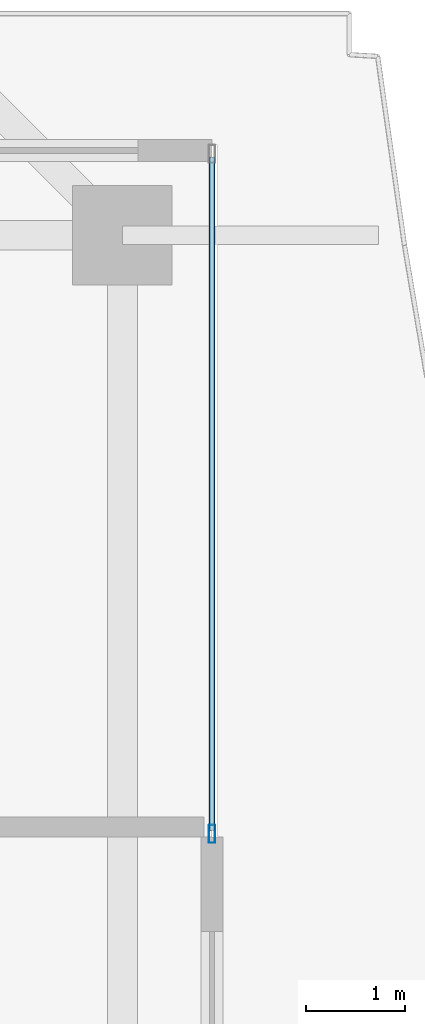
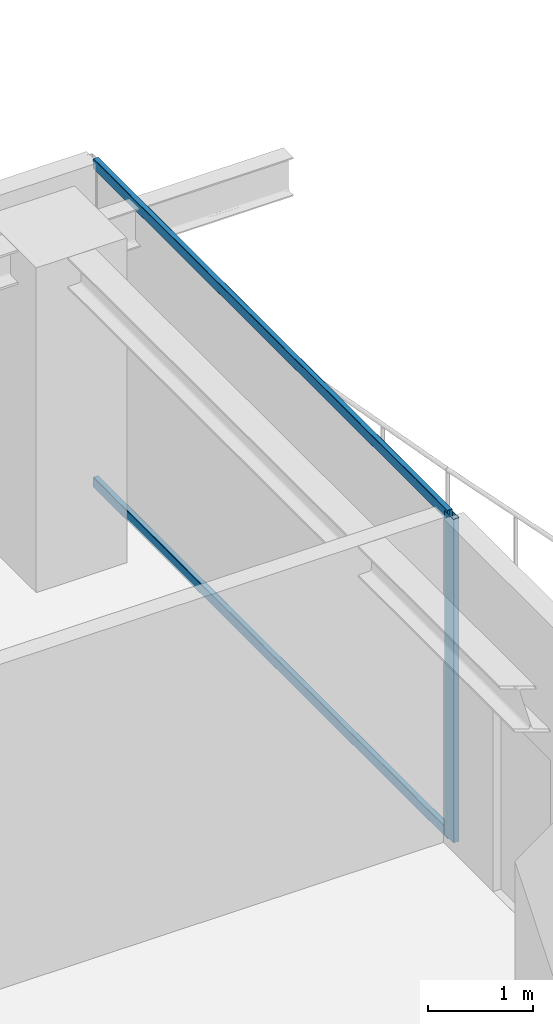
# One storey, part 26 of 42: 3 members, 1 element without a shape of its own.
"""IFC4 building model written with IfcOpenShell, lengths in metres."""

from ifc_helpers import new_model, si_unit, direction, frame, origin, origin_2d, place, context, subcontext, project, spatial, hollow_rectangle, extrude, source, transform, mapped, material, layer, layer_set, material_profile, profile_set, type_object, element, aggregate, save


model = new_model("IFC4")

# Units and contexts
model_context = context("Model", 3, precision=1e-05, world=origin(), true_north=direction((0.0, 1.0)))
body_context = subcontext(model_context, "Body", "Model", "MODEL_VIEW")
ifc_project = project(units=[si_unit("LENGTHUNIT", "METRE"), si_unit("AREAUNIT", "SQUARE_METRE"), si_unit("VOLUMEUNIT", "CUBIC_METRE"), si_unit("PLANEANGLEUNIT", "RADIAN"), si_unit("MASSUNIT", "GRAM", prefix="KILO")], contexts=[model_context])

# Site, building, storey
site_placement = place(None, origin())
site = spatial("IfcSite", under=ifc_project, at=site_placement, CompositionType="ELEMENT")
building_placement = place(site_placement, origin())
building = spatial("IfcBuilding", under=site, at=building_placement, Name="Serunith Strait Residences", CompositionType="ELEMENT")
storey_placement = place(building_placement, frame((0.0, 0.0, 309.64990234375)))
storey = spatial("IfcBuildingStorey", under=building, at=storey_placement, Name="L77", CompositionType="ELEMENT", Elevation=309.64990234375)

# Curtain wall, members
ifc_material = material(Name="Brushed Stainless-Silver Aluminium", Category="aluminium")
ifc_layer = layer(ifc_material, 0.199951171875, Name="Brushed Stainless-Silver Aluminium")
ifc_layer_set = layer_set([ifc_layer], Name="Brushed Stainless-Silver Aluminium")
curtain_wall_type = type_object("IfcCurtainWallType", Name="CW-SYS5", PredefinedType="NOTDEFINED", material=ifc_layer_set)
curtain_wall_placement = place(storey_placement, origin())
curtain_wall = element("IfcCurtainWall", 1, at=curtain_wall_placement, inside=storey, type_object=curtain_wall_type, Name="L77 E Unitised Fritted Curtain Wall", PredefinedType="NOTDEFINED")
ifc_material_profile_1 = material_profile(ifc_material, hollow_rectangle(XDim=0.06494140625, YDim=0.179931640625, WallThickness=0.00341796875, InnerFilletRadius=0.00537109375, OuterFilletRadius=0.0087890625, at=origin_2d()), Name="ALU 180x65x3.5")
ifc_profile_set_1 = profile_set([ifc_material_profile_1], Name="Brushed Stainless-Silver Aluminium")
member_type_1 = type_object("IfcMemberType", Name="CW-SYS5-MULL", PredefinedType="MULLION", material=ifc_profile_set_1)
shared_shape_1 = source(origin(), body_context, "Body", "SweptSolid", [
    extrude(hollow_rectangle(XDim=0.06494140625, YDim=0.179931640625, WallThickness=0.00341796875, InnerFilletRadius=0.00537109375, OuterFilletRadius=0.0087890625, at=origin_2d()), origin(), (0.0, 0.0, 1.0), 3.775146484375),
])
member_1_placement = place(storey_placement, frame((55.60009765625, 33.532470703125, 0.0), z_axis=(0.0, 0.0, 1.0), x_axis=(-1.0, 0.0, 0.0)))
member_1 = element("IfcMember", 2, at=member_1_placement, type_object=member_type_1, Name="CW-5 mullion 1", PredefinedType="MULLION", context=body_context, shape_type="MappedRepresentation", body=[
    mapped(shared_shape_1, transform((0.0, 0.0, 0.0), scale=1.0)),
])
ifc_material_profile_2 = material_profile(ifc_material, hollow_rectangle(XDim=0.06005859375, YDim=0.1201171875, WallThickness=0.00341796875, InnerFilletRadius=0.00537109375, OuterFilletRadius=0.0087890625, at=origin_2d()), Name="ALU 120x60x3.5")
ifc_profile_set_2 = profile_set([ifc_material_profile_2], Name="Brushed Stainless-Silver Aluminium")
member_type_2 = type_object("IfcMemberType", Name="CW-SYS5-TRAN", PredefinedType="USERDEFINED", material=ifc_profile_set_2)
shared_shape_2 = source(origin(), body_context, "Body", "SweptSolid", [
    extrude(hollow_rectangle(XDim=0.06005859375, YDim=0.1201171875, WallThickness=0.00341796875, InnerFilletRadius=0.00537109375, OuterFilletRadius=0.0087890625, at=origin_2d()), origin(), (0.0, 0.0, 1.0), 6.77001953125),
])
member_2_placement = place(storey_placement, frame((55.60009765625, 33.56494140625, 0.030029296875), z_axis=(0.0, 1.0, 0.0), x_axis=(-1.0, 0.0, 0.0)))
member_2 = element("IfcMember", 3, at=member_2_placement, type_object=member_type_2, Name="CW-5 transom 1.1", ObjectType="TRANSOM", PredefinedType="USERDEFINED", context=body_context, shape_type="MappedRepresentation", body=[
    mapped(shared_shape_2, transform((0.0, 0.0, 0.0), scale=1.0)),
])
member_3_placement = place(storey_placement, frame((55.60009765625, 33.56494140625, 3.7451171875), z_axis=(0.0, 1.0, 0.0), x_axis=(-1.0, 0.0, 0.0)))
member_3 = element("IfcMember", 4, at=member_3_placement, type_object=member_type_2, Name="CW-5 transom 1.2", ObjectType="TRANSOM", PredefinedType="USERDEFINED", context=body_context, shape_type="MappedRepresentation", body=[
    mapped(shared_shape_2, transform((0.0, 0.0, 0.0), scale=1.0)),
])
aggregate(curtain_wall, [member_1, member_2, member_3])

save(model, "model.ifc")
